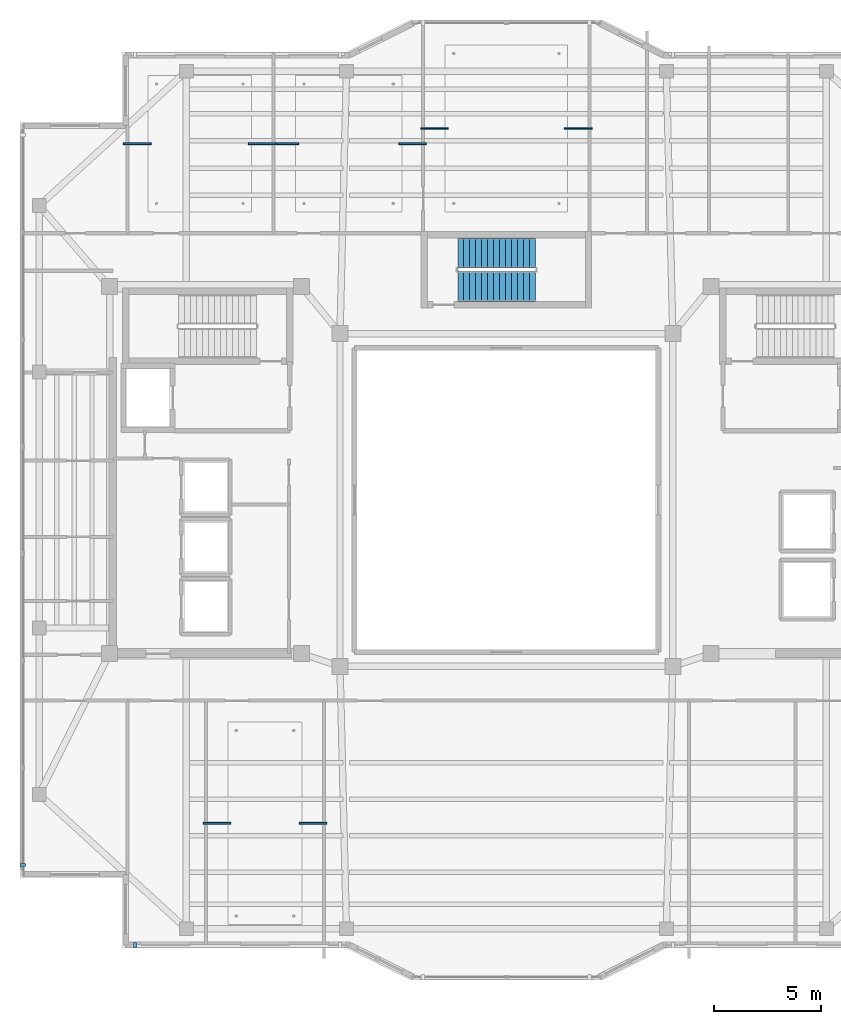
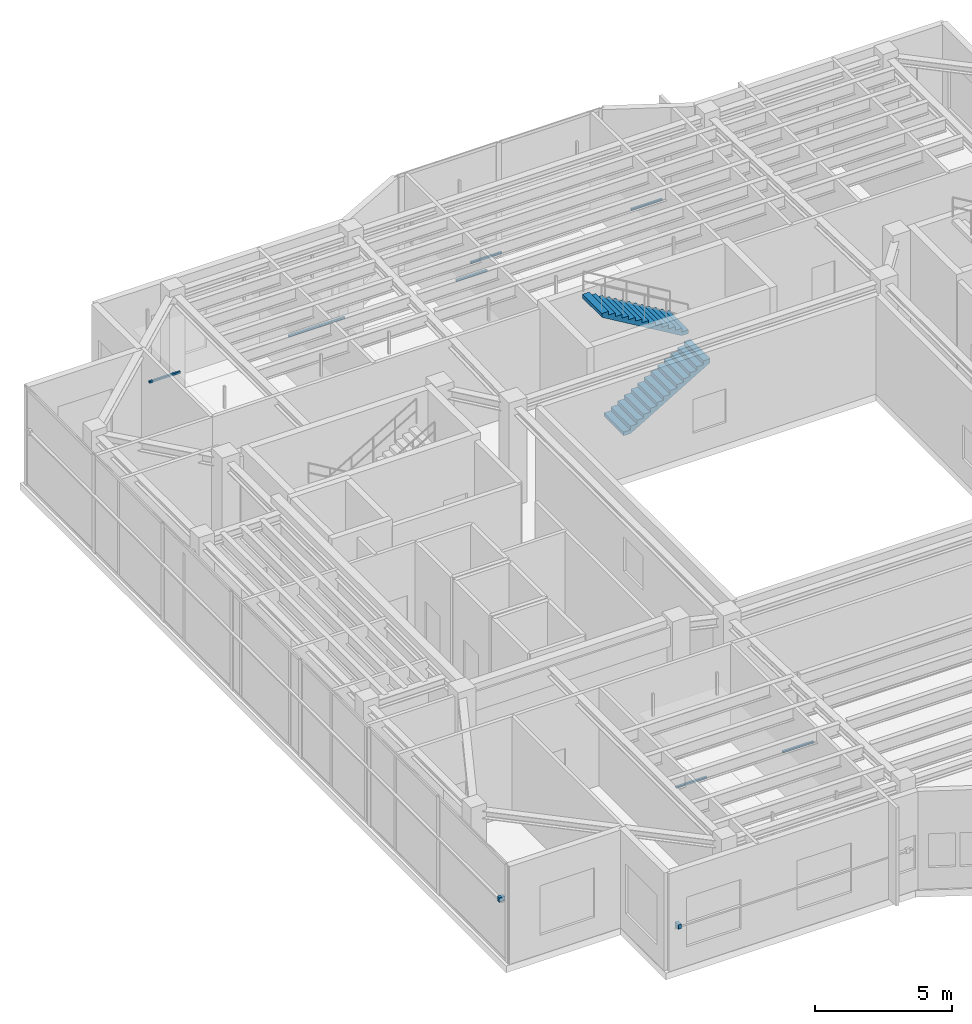
# One storey, part 18 of 25: 10 discrete accessories, 2 stair flights, 1 element without a shape of its own.
"""IFC4 building model written with IfcOpenShell, lengths in metres."""

import ifcopenshell
import ifcopenshell.guid

model = None  # the IFC model being written
_history = None  # IfcOwnerHistory: only IFC2X3 demands one
_inside = {}  # id of a spatial element -> (the spatial element, [elements in it])
_under = {}  # id of a project, library or spatial element -> (it, [spatial elements below it])
_declared = {}  # id of a project -> (the project, [libraries it declares])
_typed = {}  # id of a type object -> (the type object, [elements of that type])
_made_of = {}  # id of a material, layer set ... -> (it, [elements and type objects made of it])


def new_model(schema):
    """Start an empty IFC model of exactly this schema.

    Asked for "IFC4X3", IfcOpenShell would pick the latest addendum, in which some entities
    have other attributes; the version numbers below select the first issue.
    IFC2X3 requires an IfcOwnerHistory on every rooted entity: one is made here for all.
    """
    global model, _history
    if schema == "IFC4X3":
        model = ifcopenshell.file(schema_version=(4, 3, 0, 0))
    else:
        model = ifcopenshell.file(schema=schema)
    _inside.clear()
    _under.clear()
    _declared.clear()
    _typed.clear()
    _made_of.clear()
    _history = None
    if model.schema == "IFC2X3":
        org = make("IfcOrganization", Name="unknown")
        user = make(
            "IfcPersonAndOrganization",
            ThePerson=make("IfcPerson", FamilyName="unknown"),
            TheOrganization=org,
        )
        app = make(
            "IfcApplication",
            ApplicationDeveloper=org,
            Version="unknown",
            ApplicationFullName="unknown",
            ApplicationIdentifier="unknown",
        )
        _history = make(
            "IfcOwnerHistory",
            OwningUser=user,
            OwningApplication=app,
            ChangeAction="ADDED",
            CreationDate=0,
        )
    return model


def make(cls, **values):
    """One entity of the class cls with the attributes given. An attribute that is None is left unset."""
    return model.create_entity(
        cls, **{name: value for name, value in values.items() if value is not None}
    )


def rooted(cls, **values):
    """An entity with a GlobalId (a new one), such as an element, a storey or a relation."""
    return make(cls, GlobalId=ifcopenshell.guid.new(), OwnerHistory=_history, **values)


def si_unit(unit_type, name, prefix=None):
    """IfcSIUnit, for example si_unit("LENGTHUNIT", "METRE", prefix="MILLI")."""
    return make("IfcSIUnit", UnitType=unit_type, Prefix=prefix, Name=name)


def assignment(units):
    """IfcUnitAssignment: the units of a project."""
    return None if units is None else make("IfcUnitAssignment", Units=units)


def point(xyz):
    """IfcCartesianPoint."""
    return None if xyz is None else make("IfcCartesianPoint", Coordinates=xyz)


def direction(xyz):
    """IfcDirection."""
    return None if xyz is None else make("IfcDirection", DirectionRatios=xyz)


def frame(location, z_axis=None, x_axis=None):
    """IfcAxis2Placement3D, a coordinate frame: its origin and axes. An axis left out is left unset."""
    return make(
        "IfcAxis2Placement3D",
        Location=point(location),
        Axis=direction(z_axis),
        RefDirection=direction(x_axis),
    )


def frame_2d(location, x_axis=None):
    """IfcAxis2Placement2D, a coordinate frame in the plane: its origin and x axis."""
    return make(
        "IfcAxis2Placement2D", Location=point(location), RefDirection=direction(x_axis)
    )


def origin():
    """The frame at (0, 0, 0) with its axes left unset."""
    return frame((0.0, 0.0, 0.0))


def origin_2d():
    """The frame at (0, 0) in the plane with its x axis left unset."""
    return frame_2d((0.0, 0.0))


def place(relative_to, where):
    """IfcLocalPlacement: puts the frame where relative to a parent placement (None: the world)."""
    return make(
        "IfcLocalPlacement", PlacementRelTo=relative_to, RelativePlacement=where
    )


def context(
    kind, dimensions, precision=None, world=None, true_north=None, identifier=None
):
    """IfcGeometricRepresentationContext, for example the 3D "Model" context."""
    return make(
        "IfcGeometricRepresentationContext",
        ContextIdentifier=identifier,
        ContextType=kind,
        CoordinateSpaceDimension=dimensions,
        Precision=precision,
        WorldCoordinateSystem=world,
        TrueNorth=true_north,
    )


def subcontext(parent, identifier, kind, view, scale=None):
    """IfcGeometricRepresentationSubContext, for example "Body" below "Model"."""
    return make(
        "IfcGeometricRepresentationSubContext",
        ContextIdentifier=identifier,
        ContextType=kind,
        ParentContext=parent,
        TargetScale=scale,
        TargetView=view,
    )


def project(units=None, contexts=None):
    """IfcProject with its units and contexts."""
    return rooted(
        "IfcProject",
        Name="project",
        RepresentationContexts=contexts,
        UnitsInContext=assignment(units),
    )


def spatial(cls, under=None, at=None, **own):
    """A site, building, storey or space (cls), placed at a placement, below another one or the project."""
    s = rooted(cls, ObjectPlacement=at, **own)
    if under is not None:
        _under.setdefault(under.id(), (under, []))[1].append(s)
    return s


def polyline(points):
    """IfcPolyline through the points."""
    return make("IfcPolyline", Points=[point(p) for p in points])


def profile(cls, at=None, kind="AREA", **sizes):
    """A parametric profile (cls). Its sizes go by their IFC names, for example OverallWidth=200.0."""
    return make(cls, ProfileType=kind, Position=at, **sizes)


def rectangle(**sizes):
    """IfcRectangleProfileDef."""
    return profile("IfcRectangleProfileDef", **sizes)


def outline(outer, holes=None, kind="AREA"):
    """IfcArbitraryClosedProfileDef: a profile drawn as a closed curve; with holes, ...WithVoids."""
    if holes is None:
        return make("IfcArbitraryClosedProfileDef", ProfileType=kind, OuterCurve=outer)
    return make(
        "IfcArbitraryProfileDefWithVoids",
        ProfileType=kind,
        OuterCurve=outer,
        InnerCurves=holes,
    )


def extrude(swept, where, along, depth):
    """IfcExtrudedAreaSolid: the profile swept, set in the frame where, extruded along a direction by depth."""
    return make(
        "IfcExtrudedAreaSolid",
        SweptArea=swept,
        Position=where,
        ExtrudedDirection=direction(along),
        Depth=depth,
    )


def shape(context_of_items, identifier, shape_type, items):
    """IfcShapeRepresentation: the items that make up one representation, for example the "Body"."""
    return make(
        "IfcShapeRepresentation",
        ContextOfItems=context_of_items,
        RepresentationIdentifier=identifier,
        RepresentationType=shape_type,
        Items=items,
    )


def material(Name=None, Category=None):
    """IfcMaterial."""
    return make("IfcMaterial", Name=Name, Category=Category)


def made_of(thing, what):
    """Note that an element or type object is made of a material, layer set ...; save() writes the relation."""
    if what is not None:
        _made_of.setdefault(what.id(), (what, []))[1].append(thing)
    return thing


def type_object(cls, material=None, **own):
    """A type object (cls), such as IfcWallType, which elements share."""
    return made_of(rooted(cls, **own), material)


def element(
    cls,
    number,
    at=None,
    inside=None,
    cuts=None,
    type_object=None,
    material=None,
    context=None,
    identifier="Body",
    shape_type=None,
    held_by="IfcProductDefinitionShape",
    body=None,
    shapes=None,
    **own,
):
    """One element of the class cls, such as IfcWall. Its Tag is "e" and its number.

    at: its placement. inside: the storey or other place that contains it. cuts: it is an
    opening in that element (IfcRelVoidsElement). A single representation is given by context,
    identifier, shape_type and body (its items); several are given by shapes. held_by: the class
    of the entity that holds the representations. save() writes the other relations.
    """
    e = rooted(cls, Tag="e%d" % number, ObjectPlacement=at, **own)
    if body is not None:
        shapes = [shape(context, identifier, shape_type, body)]
    if shapes is not None:
        e.Representation = make(held_by, Representations=shapes)
    if inside is not None:
        _inside.setdefault(inside.id(), (inside, []))[1].append(e)
    if cuts is not None:
        rooted(
            "IfcRelVoidsElement", RelatingBuildingElement=cuts, RelatedOpeningElement=e
        )
    if type_object is not None:
        _typed.setdefault(type_object.id(), (type_object, []))[1].append(e)
    return made_of(e, material)


def aggregate(whole, parts):
    """IfcRelAggregates: a whole, such as a stair, and the parts it consists of."""
    return rooted("IfcRelAggregates", RelatingObject=whole, RelatedObjects=parts)


def save(model, path):
    """Write the relations noted so far, then the file.

    IfcRelAggregates (storeys below a building ...), IfcRelContainedInSpatialStructure (elements
    in a storey), IfcRelDefinesByType, IfcRelAssociatesMaterial and IfcRelDeclares: one each for
    every whole, place, type object, material and project.
    """
    for whole, parts in _under.values():
        aggregate(whole, parts)
    for where, things in _inside.values():
        rooted(
            "IfcRelContainedInSpatialStructure",
            RelatedElements=things,
            RelatingStructure=where,
        )
    for kind, things in _typed.values():
        rooted("IfcRelDefinesByType", RelatedObjects=things, RelatingType=kind)
    for what, things in _made_of.values():
        rooted("IfcRelAssociatesMaterial", RelatedObjects=things, RelatingMaterial=what)
    for by, libraries in _declared.values():
        rooted("IfcRelDeclares", RelatingContext=by, RelatedDefinitions=libraries)
    model.write(path)


model = new_model("IFC4")

# Units and contexts
model_context = context("Model", 3, precision=1e-05, world=origin(), true_north=direction((0.0, 1.0)))
body_context = subcontext(model_context, "Body", "Model", "MODEL_VIEW")
ifc_project = project(units=[si_unit("LENGTHUNIT", "METRE"), si_unit("AREAUNIT", "SQUARE_METRE"), si_unit("VOLUMEUNIT", "CUBIC_METRE"), si_unit("PLANEANGLEUNIT", "RADIAN"), si_unit("MASSUNIT", "GRAM", prefix="KILO")], contexts=[model_context])

# Site, building, storey
site_placement = place(None, origin())
site = spatial("IfcSite", under=ifc_project, at=site_placement, CompositionType="ELEMENT")
building_placement = place(site_placement, origin())
building = spatial("IfcBuilding", under=site, at=building_placement, Name="Tarnavaz Court Tower", CompositionType="ELEMENT")
storey_placement = place(building_placement, frame((0.0, 0.0, 271.64990234375)))
storey = spatial("IfcBuildingStorey", under=building, at=storey_placement, Name="L74", CompositionType="ELEMENT", Elevation=271.64990234375)

# Stair, stair flights
ifc_material_1 = material(Name="Concrete C40/50", Category="concrete")
stair_type = type_object("IfcStairType", Name="ST-TWR-28R", PredefinedType="HALF_TURN_STAIR", material=ifc_material_1)
stair_placement = place(storey_placement, origin())
stair = element("IfcStair", 1, at=stair_placement, inside=storey, type_object=stair_type, Name="L74 North Ring Pressurized Exit Stair ST-N1", PredefinedType="HALF_TURN_STAIR")
stair_flight_type = type_object("IfcStairFlightType", Name="SFL-RC-28R", PredefinedType="STRAIGHT", material=ifc_material_1)
stair_flight_1_placement = place(storey_placement, frame((-2.280029296875, 10.010009765625, 0.0), z_axis=(0.0, 0.0, 1.0), x_axis=(1.0, 0.0, 0.0)))
stair_flight_1 = element("IfcStairFlight", 2, at=stair_flight_1_placement, type_object=stair_flight_type, Name="ST-N1 flight 1", NumberOfRisers=14, NumberOfTreads=13, PredefinedType="STRAIGHT", RiserHeight=0.166071429, TreadLength=0.28, context=body_context, shape_type="SweptSolid", body=[
    extrude(outline(polyline([(0.0, 0.0), (0.0, 0.166015625), (0.280029296875, 0.166015625), (0.280029296875, 0.33203125), (0.56005859375, 0.33203125), (0.56005859375, 0.498291015625), (0.840087890625, 0.498291015625), (0.840087890625, 0.664306640625), (1.1201171875, 0.664306640625), (1.1201171875, 0.830322265625), (1.39990234375, 0.830322265625), (1.39990234375, 0.996337890625), (1.679931640625, 0.996337890625), (1.679931640625, 1.16259765625), (1.9599609375, 1.16259765625), (1.9599609375, 1.32861328125), (2.239990234375, 1.32861328125), (2.239990234375, 1.49462890625), (2.52001953125, 1.49462890625), (2.52001953125, 1.66064453125), (2.800048828125, 1.66064453125), (2.800048828125, 1.826904296875), (3.080078125, 1.826904296875), (3.080078125, 1.992919921875), (3.360107421875, 1.992919921875), (3.360107421875, 2.158935546875), (3.639892578125, 2.158935546875), (3.639892578125, 2.324951171875), (3.639892578125, 1.984619140625), (0.2939453125, 0.0), (0.0, 0.0)])), frame((0.0, 0.7099609375, 0.0), z_axis=(0.0, -1.0, 0.0), x_axis=(1.0, 0.0, 0.0)), (0.0, 0.0, 1.0), 1.419921875),
])
stair_flight_2_placement = place(storey_placement, frame((1.360107421875, 11.580078125, 2.3251953125), z_axis=(0.0, 0.0, 1.0), x_axis=(-1.0, 0.0, 0.0)))
stair_flight_2 = element("IfcStairFlight", 3, at=stair_flight_2_placement, type_object=stair_flight_type, Name="ST-N1 flight 2", NumberOfRisers=14, NumberOfTreads=13, PredefinedType="STRAIGHT", RiserHeight=0.166071429, TreadLength=0.28, context=body_context, shape_type="SweptSolid", body=[
    extrude(outline(polyline([(0.0, 0.0), (0.0, 0.166015625), (0.280029296875, 0.166015625), (0.280029296875, 0.33203125), (0.56005859375, 0.33203125), (0.56005859375, 0.498291015625), (0.840087890625, 0.498291015625), (0.840087890625, 0.664306640625), (1.1201171875, 0.664306640625), (1.1201171875, 0.830322265625), (1.39990234375, 0.830322265625), (1.39990234375, 0.996337890625), (1.679931640625, 0.996337890625), (1.679931640625, 1.16259765625), (1.9599609375, 1.16259765625), (1.9599609375, 1.32861328125), (2.239990234375, 1.32861328125), (2.239990234375, 1.49462890625), (2.52001953125, 1.49462890625), (2.52001953125, 1.66064453125), (2.800048828125, 1.66064453125), (2.800048828125, 1.826904296875), (3.080078125, 1.826904296875), (3.080078125, 1.992919921875), (3.360107421875, 1.992919921875), (3.360107421875, 2.158935546875), (3.639892578125, 2.158935546875), (3.639892578125, 2.324951171875), (3.639892578125, 1.984619140625), (0.2939453125, 0.0), (0.0, 0.0)])), frame((0.0, 0.7099609375, 0.0), z_axis=(0.0, -1.0, 0.0), x_axis=(1.0, 0.0, 0.0)), (0.0, 0.0, 1.0), 1.419921875),
])
aggregate(stair, [stair_flight_1, stair_flight_2])

# Discrete accessories
ifc_material_2 = material(Name="Anodised Aluminium 6063-T6", Category="aluminium")
discrete_accessory_type = type_object("IfcDiscreteAccessoryType", Name="DA-BRKT-ALU", PredefinedType="BRACKET", material=ifc_material_2)
for number, where, z_axis, x_axis, name in (
    (4, (-22.669921875, -17.10009765625, 2.5), (0.0, 0.0, 1.0), (0.0, 1.0, 0.0), "L74 Baguette Outrigger Bracket OBG2-1"),
    (5, (-17.39990234375, -20.8701171875, 1.75), (0.0, 0.0, 1.0), (-1.0, 0.0, 0.0), "L74 Baguette Outrigger Bracket FBG19-2"),
):
    element("IfcDiscreteAccessory", number, at=place(storey_placement, frame(where, z_axis=z_axis, x_axis=x_axis)), inside=storey, type_object=discrete_accessory_type, Name=name, PredefinedType="BRACKET", context=body_context, shape_type="SweptSolid", body=[
        extrude(rectangle(XDim=0.139892578125, YDim=0.239990234375, at=origin_2d()), origin(), (0.0, 0.0, 1.0), 0.199951171875),
    ])
for number, where, z_axis, x_axis, name in (
    (6, (-17.300048828125, 16.699951171875, 3.3525390625), (0.0, 0.0, 1.0), (1.0, 0.0, 0.0), "L74 Ceiling Perimeter Wall-Tie Bracket 01-1"),
    (7, (-11.448974609375, 16.699951171875, 3.3525390625), (0.0, 0.0, 1.0), (1.0, 0.0, 0.0), "L74 Ceiling Perimeter Wall-Tie Bracket 01-2"),
    (8, (-10.388916015625, 16.699951171875, 3.3525390625), (0.0, 0.0, 1.0), (1.0, 0.0, 0.0), "L74 Ceiling Perimeter Wall-Tie Bracket 02-1"),
    (9, (-4.39990234375, 16.699951171875, 3.3525390625), (0.0, 0.0, 1.0), (1.0, 0.0, 0.0), "L74 Ceiling Perimeter Wall-Tie Bracket 02-2"),
    (10, (-3.3701171875, 17.4150390625, 3.3525390625), (0.0, 0.0, 1.0), (1.0, 0.0, 0.0), "L74 Ceiling Perimeter Wall-Tie Bracket 03-1"),
    (11, (3.3701171875, 17.4150390625, 3.3525390625), (0.0, 0.0, 1.0), (1.0, 0.0, 0.0), "L74 Ceiling Perimeter Wall-Tie Bracket 03-2"),
    (12, (-13.56005859375, -15.155029296875, 3.3525390625), (0.0, 0.0, 1.0), (1.0, 0.0, 0.0), "L74 Ceiling Perimeter Wall-Tie Bracket 04-1"),
    (13, (-9.070068359375, -15.155029296875, 3.3525390625), (0.0, 0.0, 1.0), (1.0, 0.0, 0.0), "L74 Ceiling Perimeter Wall-Tie Bracket 04-2"),
):
    element("IfcDiscreteAccessory", number, at=place(storey_placement, frame(where, z_axis=z_axis, x_axis=x_axis)), inside=storey, type_object=discrete_accessory_type, Name=name, PredefinedType="BRACKET", context=body_context, shape_type="SweptSolid", body=[
        extrude(rectangle(XDim=1.300048828125, YDim=0.080078125, at=origin_2d()), origin(), (0.0, 0.0, 1.0), 0.080078125),
    ])

save(model, "model.ifc")
